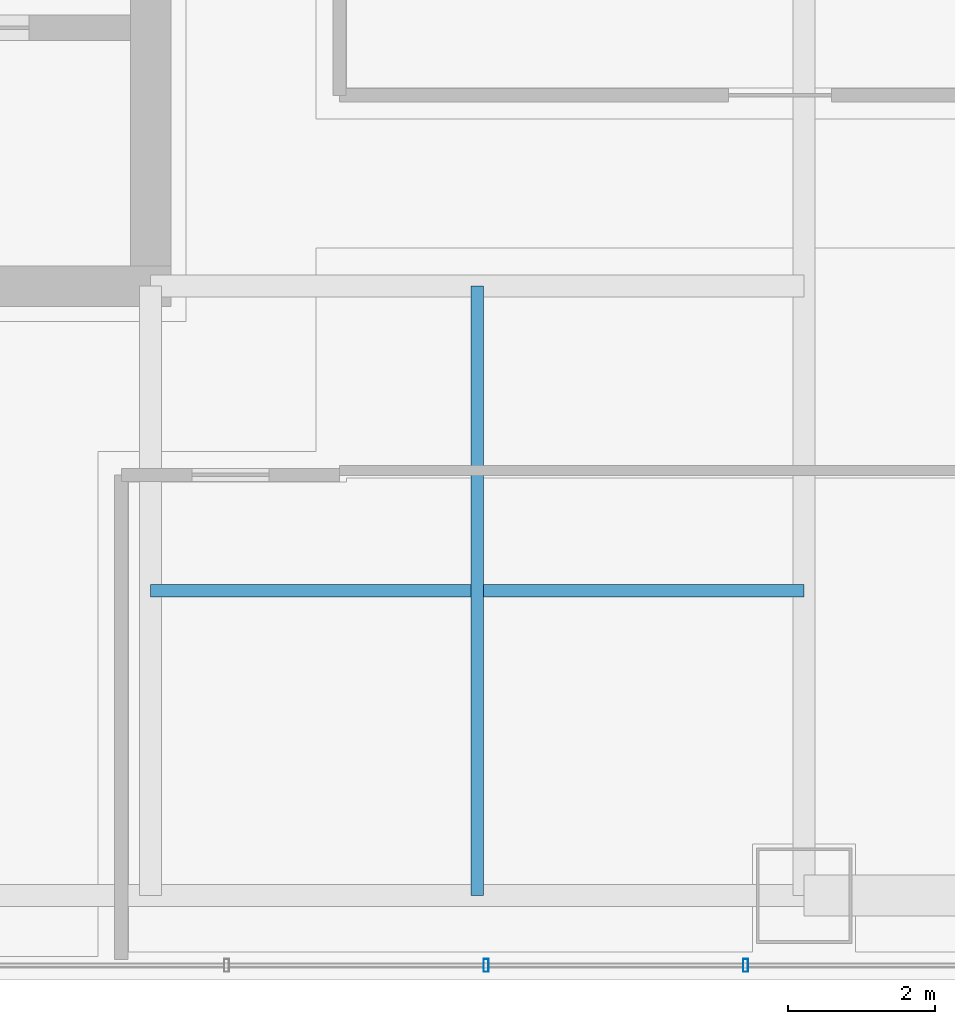
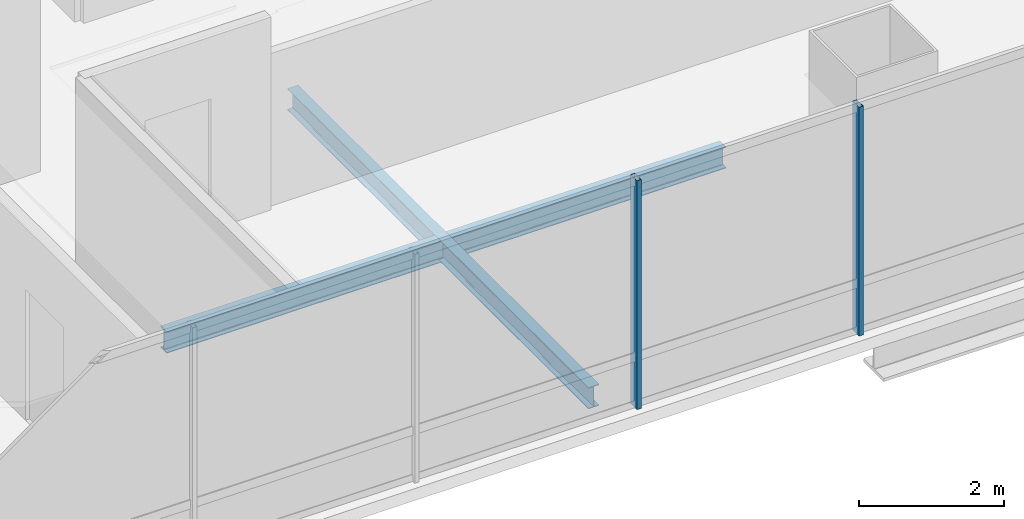
# One storey, part 14 of 42: 2 beams, 2 members, 1 element without a shape of its own.
"""IFC4 building model written with IfcOpenShell, lengths in metres."""

from ifc_helpers import new_model, si_unit, direction, frame, origin, origin_2d, place, context, subcontext, project, spatial, hollow_rectangle, i_section, extrude, material, material_profile, profile_set, type_object, element, aggregate, save


model = new_model("IFC4")

# Units and contexts
model_context = context("Model", 3, precision=1e-05, world=origin(), true_north=direction((0.0, 1.0)))
body_context = subcontext(model_context, "Body", "Model", "MODEL_VIEW")
ifc_project = project(units=[si_unit("LENGTHUNIT", "METRE"), si_unit("AREAUNIT", "SQUARE_METRE"), si_unit("VOLUMEUNIT", "CUBIC_METRE"), si_unit("PLANEANGLEUNIT", "RADIAN"), si_unit("MASSUNIT", "GRAM", prefix="KILO")], contexts=[model_context])

# Site, building, storey
site_placement = place(None, origin())
site = spatial("IfcSite", under=ifc_project, at=site_placement, CompositionType="ELEMENT")
building_placement = place(site_placement, origin())
building = spatial("IfcBuilding", under=site, at=building_placement, Name="Punatoya Terracotta Tower", CompositionType="ELEMENT")
storey_placement = place(building_placement, frame((0.0, 0.0, 255.449951171875)))
storey = spatial("IfcBuildingStorey", under=building, at=storey_placement, Name="L60", CompositionType="ELEMENT", Elevation=255.449951171875)

# Beams
ifc_material_1 = material(Name="Steel S355", Category="steel")
ifc_material_profile_1 = material_profile(ifc_material_1, i_section(OverallWidth=0.169921875, OverallDepth=0.360107421875, WebThickness=0.008056640625, FlangeThickness=0.0126953125, FilletRadius=0.01806640625, at=origin_2d()))
ifc_profile_set_1 = profile_set([ifc_material_profile_1], Name="Steel S355")
beam_type = type_object("IfcBeamType", Name="BM-SEC-360", PredefinedType="JOIST", material=ifc_profile_set_1)
beam_1_placement = place(storey_placement, frame((10.199951171875, -13.35009765625, -0.3798828125), z_axis=(1.0, 0.0, 0.0), x_axis=(0.0, 1.0, 0.0)))
element("IfcBeam", 1, at=beam_1_placement, inside=storey, type_object=beam_type, Name="BM-L60-SJS-2", PredefinedType="JOIST", context=body_context, shape_type="SweptSolid", body=[
    extrude(i_section(OverallWidth=0.169921875, OverallDepth=0.360107421875, WebThickness=0.008056640625, FlangeThickness=0.0126953125, FilletRadius=0.01806640625, at=origin_2d()), origin(), (0.0, 0.0, 1.0), 8.900146484375),
])
beam_2_placement = place(storey_placement, frame((14.64990234375, -17.5, -0.3798828125), z_axis=(0.0, 1.0, 0.0), x_axis=(-1.0, 0.0, 0.0)))
element("IfcBeam", 2, at=beam_2_placement, inside=storey, type_object=beam_type, Name="BM-L60-SJE-1", PredefinedType="JOIST", context=body_context, shape_type="SweptSolid", body=[
    extrude(i_section(OverallWidth=0.169921875, OverallDepth=0.360107421875, WebThickness=0.008056640625, FlangeThickness=0.0126953125, FilletRadius=0.01806640625, at=origin_2d()), origin(), (0.0, 0.0, 1.0), 8.300048828125),
])

# Curtain wall, members
ifc_material_2 = material(Name="Aluminium 6063-T6 + Double Low-E Glass", Category="aluminium")
curtain_wall_type = type_object("IfcCurtainWallType", Name="CW-M3", PredefinedType="NOTDEFINED", material=ifc_material_2)
curtain_wall_placement = place(storey_placement, origin())
curtain_wall = element("IfcCurtainWall", 3, at=curtain_wall_placement, inside=storey, type_object=curtain_wall_type, Name="L60 Curtain Wall CW-L60-S01-1", PredefinedType="NOTDEFINED")
ifc_material_3 = material(Name="Aluminium 6063-T6", Category="aluminium")
ifc_material_profile_2 = material_profile(ifc_material_3, hollow_rectangle(XDim=0.070068359375, YDim=0.179931640625, WallThickness=0.00390625, at=origin_2d()))
ifc_profile_set_2 = profile_set([ifc_material_profile_2], Name="Aluminium 6063-T6")
member_type = type_object("IfcMemberType", Name="CW-MUL-M3", PredefinedType="MULLION", material=ifc_profile_set_2)
member_1_placement = place(storey_placement, frame((14.768798828125, -18.449951171875, 0.0), z_axis=(0.0, 0.0, 1.0), x_axis=(1.0, 0.0, 0.0)))
member_1 = element("IfcMember", 4, at=member_1_placement, type_object=member_type, Name="CW-L60-S01-1 Mullion 09", PredefinedType="MULLION", context=body_context, shape_type="SweptSolid", body=[
    extrude(hollow_rectangle(XDim=0.070068359375, YDim=0.179931640625, WallThickness=0.00390625, at=origin_2d()), origin(), (0.0, 0.0, 1.0), 3.85009765625),
])
member_2_placement = place(storey_placement, frame((18.302978515625, -18.449951171875, 0.0), z_axis=(0.0, 0.0, 1.0), x_axis=(1.0, 0.0, 0.0)))
member_2 = element("IfcMember", 5, at=member_2_placement, type_object=member_type, Name="CW-L60-S01-1 Mullion 10", PredefinedType="MULLION", context=body_context, shape_type="SweptSolid", body=[
    extrude(hollow_rectangle(XDim=0.070068359375, YDim=0.179931640625, WallThickness=0.00390625, at=origin_2d()), origin(), (0.0, 0.0, 1.0), 3.85009765625),
])
aggregate(curtain_wall, [member_1, member_2])

save(model, "model.ifc")
